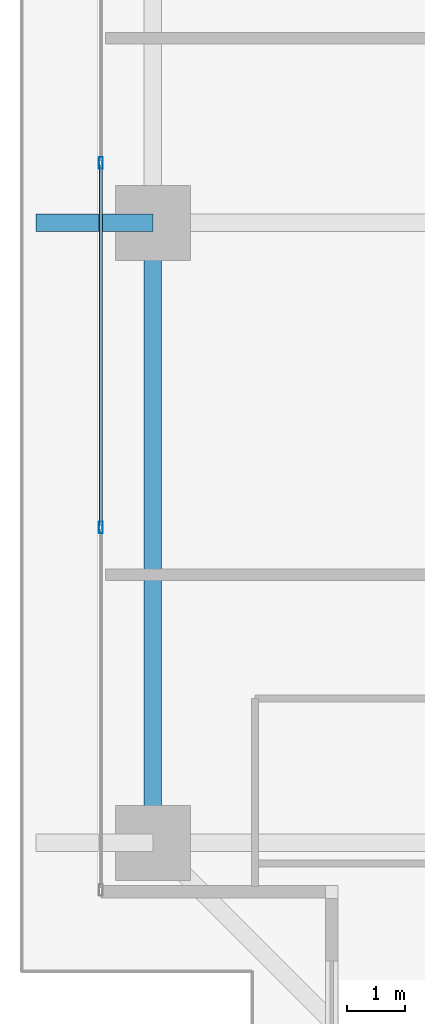
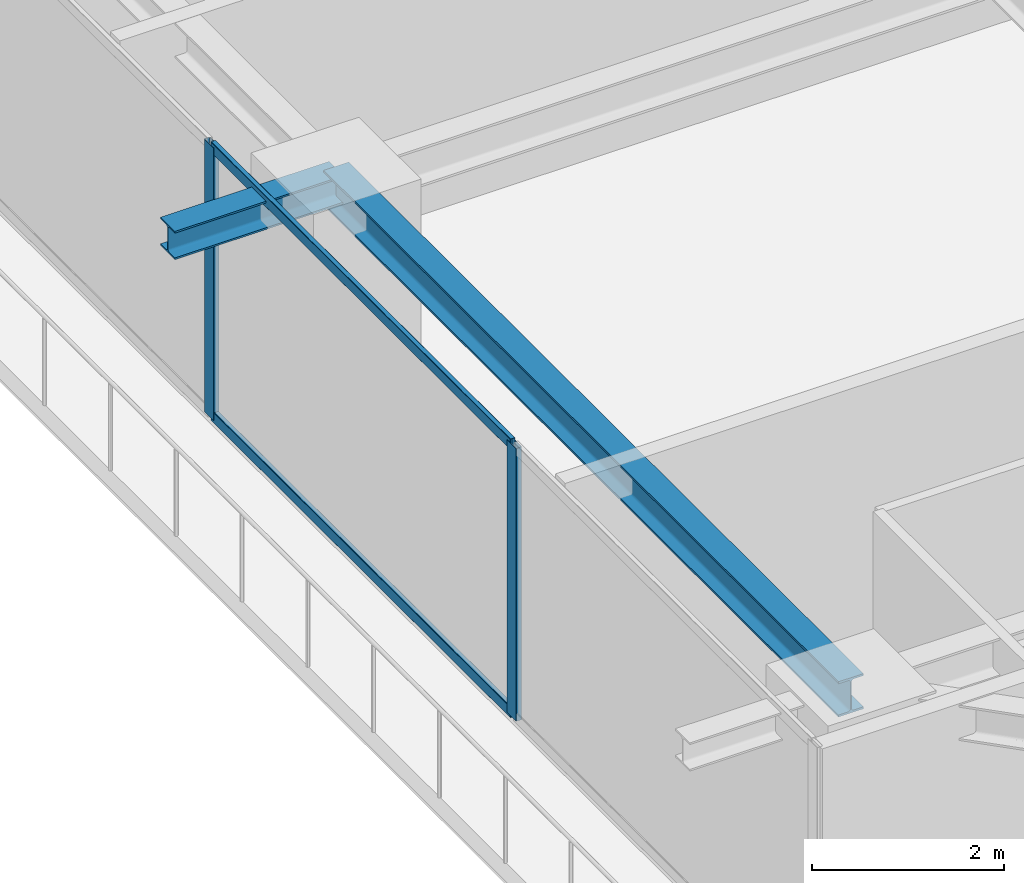
# One storey, part 7 of 38: 4 members, 2 beams, 1 element without a shape of its own.
"""IFC4 building model written with IfcOpenShell, lengths in metres."""

from ifc_helpers import new_model, si_unit, direction, frame, origin, origin_2d, place, context, subcontext, project, spatial, hollow_rectangle, i_section, extrude, source, transform, mapped, material, layer, layer_set, material_profile, profile_set, type_object, element, aggregate, save


model = new_model("IFC4")

# Units and contexts
model_context = context("Model", 3, precision=1e-05, world=origin(), true_north=direction((0.0, 1.0)))
body_context = subcontext(model_context, "Body", "Model", "MODEL_VIEW")
ifc_project = project(units=[si_unit("LENGTHUNIT", "METRE"), si_unit("AREAUNIT", "SQUARE_METRE"), si_unit("VOLUMEUNIT", "CUBIC_METRE"), si_unit("PLANEANGLEUNIT", "RADIAN"), si_unit("MASSUNIT", "GRAM", prefix="KILO")], contexts=[model_context])

# Site, building, storey
site_placement = place(None, origin())
site = spatial("IfcSite", under=ifc_project, at=site_placement, CompositionType="ELEMENT")
building_placement = place(site_placement, origin())
building = spatial("IfcBuilding", under=site, at=building_placement, Name="Serunith Strait Residences", CompositionType="ELEMENT")
storey_placement = place(building_placement, frame((0.0, 0.0, 176.39990234375)))
storey = spatial("IfcBuildingStorey", under=building, at=storey_placement, Name="L44", CompositionType="ELEMENT", Elevation=176.39990234375)

# Beams
ifc_material_1 = material(Name="Steel S355J2", Category="steel")
ifc_material_profile_1 = material_profile(ifc_material_1, i_section(OverallWidth=0.300048828125, OverallDepth=0.449951171875, WebThickness=0.013916015625, FlangeThickness=0.02587890625, FilletRadius=0.027099609375, at=origin_2d()), Name="HEB 450")
ifc_profile_set_1 = profile_set([ifc_material_profile_1], Name="Steel S355J2")
beam_type_1 = type_object("IfcBeamType", Name="BM-HEB450", PredefinedType="BEAM", material=ifc_profile_set_1)
shared_shape_1 = source(origin(), body_context, "Body", "SweptSolid", [
    extrude(i_section(OverallWidth=0.300048828125, OverallDepth=0.449951171875, WebThickness=0.013916015625, FlangeThickness=0.02587890625, FilletRadius=0.027099609375, at=origin_2d()), origin(), (0.0, 0.0, 1.0), 10.75),
])
beam_1_placement = place(storey_placement, frame((8.699951171875, 21.0, 3.26220703125), z_axis=(0.0, -1.0, 0.0), x_axis=(1.0, 0.0, 0.0)))
element("IfcBeam", 1, at=beam_1_placement, inside=storey, type_object=beam_type_1, Name="L44 Perimeter Ring Beam 15", PredefinedType="BEAM", context=body_context, shape_type="MappedRepresentation", body=[
    mapped(shared_shape_1, transform((0.0, 0.0, 0.0), scale=1.0)),
])
ifc_material_profile_2 = material_profile(ifc_material_1, i_section(OverallWidth=0.300048828125, OverallDepth=0.360107421875, WebThickness=0.012451171875, FlangeThickness=0.0224609375, FilletRadius=0.027099609375, at=origin_2d()), Name="HEB 360")
ifc_profile_set_2 = profile_set([ifc_material_profile_2], Name="Steel S355J2")
beam_type_2 = type_object("IfcBeamType", Name="BM-HEB360", PredefinedType="BEAM", material=ifc_profile_set_2)
shared_shape_2 = source(origin(), body_context, "Body", "SweptSolid", [
    extrude(i_section(OverallWidth=0.300048828125, OverallDepth=0.360107421875, WebThickness=0.012451171875, FlangeThickness=0.0224609375, FilletRadius=0.027099609375, at=origin_2d()), origin(), (0.0, 0.0, 1.0), 2.030029296875),
])
beam_2_placement = place(storey_placement, frame((8.699951171875, 21.0, 3.277099609375), z_axis=(-1.0, 0.0, 0.0), x_axis=(0.0, -1.0, 0.0)))
element("IfcBeam", 2, at=beam_2_placement, inside=storey, type_object=beam_type_2, Name="L45 Cantilevered Balcony Rib TC-W2", PredefinedType="BEAM", context=body_context, shape_type="MappedRepresentation", body=[
    mapped(shared_shape_2, transform((0.0, 0.0, 0.0), scale=1.0)),
])

# Curtain wall, members
ifc_material_2 = material(Name="Pale-Champagne Anodised Aluminium", Category="aluminium")
ifc_layer = layer(ifc_material_2, 0.199951171875, Name="Pale-Champagne Anodised Aluminium")
ifc_layer_set = layer_set([ifc_layer], Name="Pale-Champagne Anodised Aluminium")
curtain_wall_type = type_object("IfcCurtainWallType", Name="CW-SYS2", PredefinedType="NOTDEFINED", material=ifc_layer_set)
curtain_wall_placement = place(storey_placement, origin())
curtain_wall = element("IfcCurtainWall", 3, at=curtain_wall_placement, inside=storey, type_object=curtain_wall_type, Name="L44 W Unitised Fritted Curtain Wall", PredefinedType="NOTDEFINED")
ifc_material_profile_3 = material_profile(ifc_material_2, hollow_rectangle(XDim=0.070068359375, YDim=0.199951171875, WallThickness=0.00390625, InnerFilletRadius=0.006103515625, OuterFilletRadius=0.010009765625, at=origin_2d()), Name="ALU 200x70x4")
ifc_profile_set_3 = profile_set([ifc_material_profile_3], Name="Pale-Champagne Anodised Aluminium")
member_type_1 = type_object("IfcMemberType", Name="CW-SYS2-MULL", PredefinedType="MULLION", material=ifc_profile_set_3)
shared_shape_3 = source(origin(), body_context, "Body", "SweptSolid", [
    extrude(hollow_rectangle(XDim=0.070068359375, YDim=0.199951171875, WallThickness=0.00390625, InnerFilletRadius=0.006103515625, OuterFilletRadius=0.010009765625, at=origin_2d()), origin(), (0.0, 0.0, 1.0), 3.47509765625),
])
member_1_placement = place(storey_placement, frame((7.800048828125, 22.0400390625, 0.0), z_axis=(0.0, 0.0, 1.0), x_axis=(1.0, 0.0, 0.0)))
member_1 = element("IfcMember", 4, at=member_1_placement, type_object=member_type_1, Name="CW-2 mullion 4", PredefinedType="MULLION", context=body_context, shape_type="MappedRepresentation", body=[
    mapped(shared_shape_3, transform((0.0, 0.0, 0.0), scale=1.0)),
])
member_2_placement = place(storey_placement, frame((7.800048828125, 15.719970703125, 0.0), z_axis=(0.0, 0.0, 1.0), x_axis=(1.0, 0.0, 0.0)))
member_2 = element("IfcMember", 5, at=member_2_placement, type_object=member_type_1, Name="CW-2 mullion 5", PredefinedType="MULLION", context=body_context, shape_type="MappedRepresentation", body=[
    mapped(shared_shape_3, transform((0.0, 0.0, 0.0), scale=1.0)),
])
ifc_material_profile_4 = material_profile(ifc_material_2, hollow_rectangle(XDim=0.06005859375, YDim=0.139892578125, WallThickness=0.00341796875, InnerFilletRadius=0.00537109375, OuterFilletRadius=0.0087890625, at=origin_2d()), Name="ALU 140x60x3.5")
ifc_profile_set_4 = profile_set([ifc_material_profile_4], Name="Pale-Champagne Anodised Aluminium")
member_type_2 = type_object("IfcMemberType", Name="CW-SYS2-TRAN", PredefinedType="USERDEFINED", material=ifc_profile_set_4)
shared_shape_4 = source(origin(), body_context, "Body", "SweptSolid", [
    extrude(hollow_rectangle(XDim=0.06005859375, YDim=0.139892578125, WallThickness=0.00341796875, InnerFilletRadius=0.00537109375, OuterFilletRadius=0.0087890625, at=origin_2d()), origin(), (0.0, 0.0, 1.0), 6.25),
])
member_3_placement = place(storey_placement, frame((7.800048828125, 22.0048828125, 0.030029296875), z_axis=(0.0, -1.0, 0.0), x_axis=(1.0, 0.0, 0.0)))
member_3 = element("IfcMember", 6, at=member_3_placement, type_object=member_type_2, Name="CW-2 transom 4.1", ObjectType="TRANSOM", PredefinedType="USERDEFINED", context=body_context, shape_type="MappedRepresentation", body=[
    mapped(shared_shape_4, transform((0.0, 0.0, 0.0), scale=1.0)),
])
member_4_placement = place(storey_placement, frame((7.800048828125, 22.0048828125, 3.445068359375), z_axis=(0.0, -1.0, 0.0), x_axis=(1.0, 0.0, 0.0)))
member_4 = element("IfcMember", 7, at=member_4_placement, type_object=member_type_2, Name="CW-2 transom 4.2", ObjectType="TRANSOM", PredefinedType="USERDEFINED", context=body_context, shape_type="MappedRepresentation", body=[
    mapped(shared_shape_4, transform((0.0, 0.0, 0.0), scale=1.0)),
])
aggregate(curtain_wall, [member_1, member_2, member_3, member_4])

save(model, "model.ifc")
